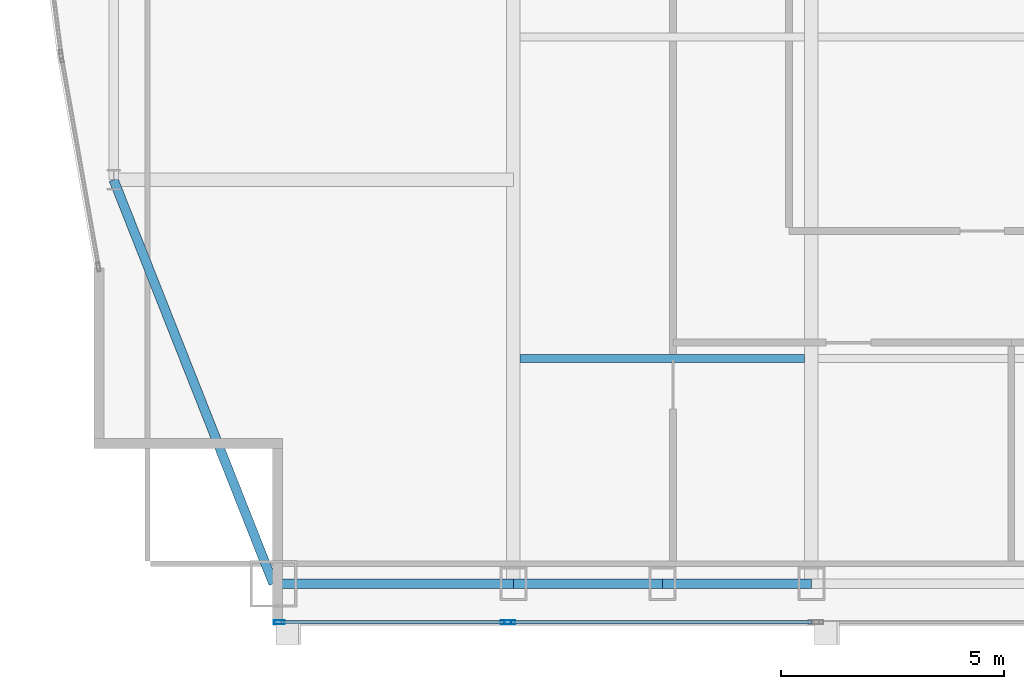
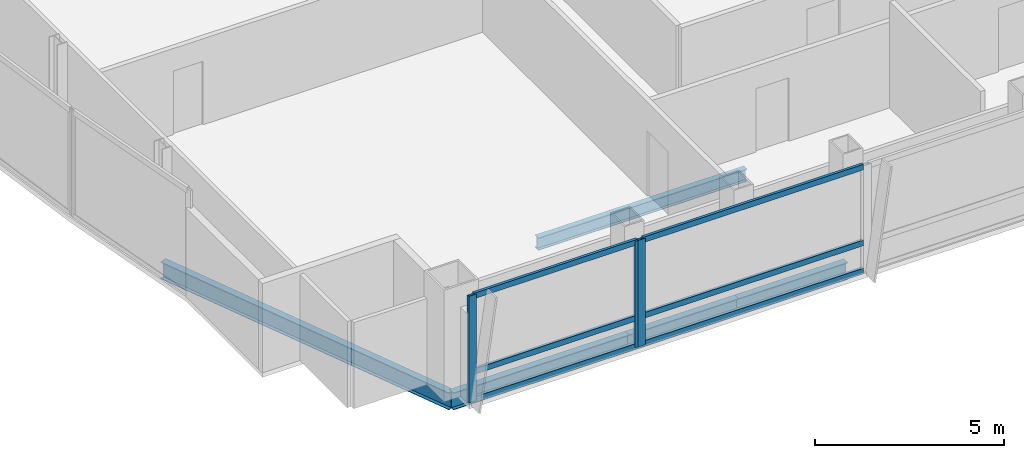
# One storey, part 5 of 30: 9 members, 5 beams, 2 elements without a shape of their own.
"""IFC4 building model written with IfcOpenShell, lengths in metres."""

from ifc_helpers import new_model, si_unit, direction, frame, origin, origin_2d, place, context, subcontext, project, spatial, hollow_rectangle, i_section, extrude, material, material_profile, profile_set, type_object, element, aggregate, save


model = new_model("IFC4")

# Units and contexts
model_context = context("Model", 3, precision=1e-05, world=origin(), true_north=direction((0.0, 1.0)))
body_context = subcontext(model_context, "Body", "Model", "MODEL_VIEW")
ifc_project = project(units=[si_unit("LENGTHUNIT", "METRE"), si_unit("AREAUNIT", "SQUARE_METRE"), si_unit("VOLUMEUNIT", "CUBIC_METRE"), si_unit("PLANEANGLEUNIT", "RADIAN"), si_unit("MASSUNIT", "GRAM", prefix="KILO")], contexts=[model_context])

# Site, building, storey
site_placement = place(None, origin())
site = spatial("IfcSite", under=ifc_project, at=site_placement, CompositionType="ELEMENT")
building_placement = place(site_placement, origin())
building = spatial("IfcBuilding", under=site, at=building_placement, Name="Khoronbel Lancet Exchange", CompositionType="ELEMENT")
storey_placement = place(building_placement, frame((0.0, 0.0, 277.0)))
storey = spatial("IfcBuildingStorey", under=building, at=storey_placement, Name="L71", CompositionType="ELEMENT", Elevation=277.0)

# Beams
ifc_material_1 = material(Name="Steel S355", Category="steel")
ifc_material_profile_1 = material_profile(ifc_material_1, i_section(OverallWidth=0.179931640625, OverallDepth=0.39990234375, WebThickness=0.008544921875, FlangeThickness=0.013427734375, at=origin_2d()), Name="IPE 400")
ifc_profile_set_1 = profile_set([ifc_material_profile_1], Name="Steel S355")
beam_type_1 = type_object("IfcBeamType", Name="BM-BJ5", PredefinedType="JOIST", material=ifc_profile_set_1)
beam_1_placement = place(storey_placement, frame((18.375, 15.199951171875, -0.360107421875), z_axis=(1.0, 0.0, 0.0), x_axis=(0.0, 1.0, 0.0)))
element("IfcBeam", 1, at=beam_1_placement, inside=storey, type_object=beam_type_1, Name="Level L71 secondary composite joist J01", PredefinedType="JOIST", context=body_context, shape_type="SweptSolid", body=[
    extrude(i_section(OverallWidth=0.179931640625, OverallDepth=0.39990234375, WebThickness=0.008544921875, FlangeThickness=0.013427734375, at=origin_2d()), origin(), (0.0, 0.0, 1.0), 6.375),
])
ifc_material_profile_2 = material_profile(ifc_material_1, i_section(OverallWidth=0.2099609375, OverallDepth=0.550048828125, WebThickness=0.010986328125, FlangeThickness=0.01708984375, at=origin_2d()), Name="IPE 550")
ifc_profile_set_2 = profile_set([ifc_material_profile_2], Name="Steel S355")
beam_type_2 = type_object("IfcBeamType", Name="BM-BSP3", PredefinedType="SPANDREL", material=ifc_profile_set_2)
beam_2_placement = place(storey_placement, frame((12.85009765625, 10.14990234375, -0.43505859375), z_axis=(1.0, 0.0, 0.0), x_axis=(0.0, 1.0, 0.0)))
element("IfcBeam", 2, at=beam_2_placement, inside=storey, type_object=beam_type_2, Name="Level L71 perimeter spandrel beam SP01", PredefinedType="SPANDREL", context=body_context, shape_type="SweptSolid", body=[
    extrude(i_section(OverallWidth=0.2099609375, OverallDepth=0.550048828125, WebThickness=0.010986328125, FlangeThickness=0.01708984375, at=origin_2d()), origin(), (0.0, 0.0, 1.0), 5.375),
])
for number, where, z_axis, x_axis, name in (
    (3, (18.22509765625, 10.14990234375, -0.43505859375), (1.0, 0.0, 0.0), (0.0, 1.0, 0.0), "Level L71 perimeter spandrel beam SP02"),
    (4, (21.5625, 10.14990234375, -0.43505859375), (1.0, 0.0, 0.0), (0.0, 1.0, 0.0), "Level L71 perimeter spandrel beam SP03"),
):
    element("IfcBeam", number, at=place(storey_placement, frame(where, z_axis=z_axis, x_axis=x_axis)), inside=storey, type_object=beam_type_2, Name=name, PredefinedType="SPANDREL", context=body_context, shape_type="SweptSolid", body=[
        extrude(i_section(OverallWidth=0.2099609375, OverallDepth=0.550048828125, WebThickness=0.010986328125, FlangeThickness=0.01708984375, at=origin_2d()), origin(), (0.0, 0.0, 1.0), 3.33740234375),
    ])
beam_3_placement = place(storey_placement, frame((9.27001953125, 19.199951171875, -0.43505859375), z_axis=(0.367850095026, -0.92988510451, 0.0), x_axis=(0.92988510451, 0.367850095026, 0.0)))
element("IfcBeam", 5, at=beam_3_placement, inside=storey, type_object=beam_type_2, Name="Level L71 perimeter spandrel beam SP21", PredefinedType="SPANDREL", context=body_context, shape_type="SweptSolid", body=[
    extrude(i_section(OverallWidth=0.2099609375, OverallDepth=0.550048828125, WebThickness=0.010986328125, FlangeThickness=0.01708984375, at=origin_2d()), origin(), (0.0, 0.0, 1.0), 9.732421875),
])

# Curtain wall, members
ifc_material_2 = material(Name="Low-E Solar Control Insulating Glass", Category="glass")
curtain_wall_type = type_object("IfcCurtainWallType", Name="CW-3", PredefinedType="NOTDEFINED", material=ifc_material_2)
curtain_wall_1_placement = place(storey_placement, origin())
curtain_wall_1 = element("IfcCurtainWall", 6, at=curtain_wall_1_placement, inside=storey, type_object=curtain_wall_type, Name="Unitised curtain wall CW-L71-SWV", PredefinedType="NOTDEFINED")
ifc_material_3 = material(Name="Bronze-Anodised Aluminium 6063-T6", Category="aluminium")
ifc_material_profile_3 = material_profile(ifc_material_3, hollow_rectangle(XDim=0.0849609375, YDim=0.239990234375, WallThickness=0.006103515625, at=origin_2d()), Name="ALU MULLION 85x240")
ifc_profile_set_3 = profile_set([ifc_material_profile_3], Name="Bronze-Anodised Aluminium 6063-T6")
member_type_1 = type_object("IfcMemberType", Name="MEM-CWM1", PredefinedType="MULLION", material=ifc_profile_set_3)
member_1_placement = place(storey_placement, frame((12.982421875, 9.2900390625, 0.0), z_axis=(0.0, 0.0, 1.0), x_axis=(0.0, 1.0, 0.0)))
member_1 = element("IfcMember", 7, at=member_1_placement, type_object=member_type_1, Name="CW3 mullion 1", PredefinedType="MULLION", context=body_context, shape_type="SweptSolid", body=[
    extrude(hollow_rectangle(XDim=0.0849609375, YDim=0.239990234375, WallThickness=0.006103515625, at=origin_2d()), origin(), (0.0, 0.0, 1.0), 3.43994140625),
])
member_2_placement = place(storey_placement, frame((18.0576171875, 9.2900390625, 0.0), z_axis=(0.0, 0.0, 1.0), x_axis=(0.0, 1.0, 0.0)))
member_2 = element("IfcMember", 8, at=member_2_placement, type_object=member_type_1, Name="CW3 mullion 2", PredefinedType="MULLION", context=body_context, shape_type="SweptSolid", body=[
    extrude(hollow_rectangle(XDim=0.0849609375, YDim=0.239990234375, WallThickness=0.006103515625, at=origin_2d()), origin(), (0.0, 0.0, 1.0), 3.43994140625),
])

# Curtain wall, member
curtain_wall_2_placement = place(storey_placement, origin())
curtain_wall_2 = element("IfcCurtainWall", 9, at=curtain_wall_2_placement, inside=storey, type_object=curtain_wall_type, Name="Unitised curtain wall CW-L71-SWB", PredefinedType="NOTDEFINED")
member_3_placement = place(storey_placement, frame((18.142578125, 9.2900390625, 0.0), z_axis=(0.0, 0.0, 1.0), x_axis=(0.0, 1.0, 0.0)))
member_3 = element("IfcMember", 10, at=member_3_placement, type_object=member_type_1, Name="CW3 mullion 1", PredefinedType="MULLION", context=body_context, shape_type="SweptSolid", body=[
    extrude(hollow_rectangle(XDim=0.0849609375, YDim=0.239990234375, WallThickness=0.006103515625, at=origin_2d()), origin(), (0.0, 0.0, 1.0), 3.43994140625),
])

# Member
ifc_material_profile_4 = material_profile(ifc_material_3, hollow_rectangle(XDim=0.0849609375, YDim=0.179931640625, WallThickness=0.0048828125, at=origin_2d()), Name="ALU TRANSOM 85x180")
ifc_profile_set_4 = profile_set([ifc_material_profile_4], Name="Bronze-Anodised Aluminium 6063-T6")
member_type_2 = type_object("IfcMemberType", Name="MEM-CWT1", PredefinedType="USERDEFINED", material=ifc_profile_set_4)
member_4_placement = place(storey_placement, frame((13.02490234375, 9.2900390625, 0.04248046875), z_axis=(1.0, 0.0, 0.0), x_axis=(0.0, 1.0, 0.0)))
member_4 = element("IfcMember", 11, at=member_4_placement, type_object=member_type_2, Name="CW3 transom 1.1", ObjectType="TRANSOM", PredefinedType="USERDEFINED", context=body_context, shape_type="SweptSolid", body=[
    extrude(hollow_rectangle(XDim=0.0849609375, YDim=0.179931640625, WallThickness=0.0048828125, at=origin_2d()), origin(), (0.0, 0.0, 1.0), 4.989990234375),
])

member_5_placement = place(storey_placement, frame((13.02490234375, 9.2900390625, 0.949951171875), z_axis=(1.0, 0.0, 0.0), x_axis=(0.0, 1.0, 0.0)))
member_5 = element("IfcMember", 12, at=member_5_placement, type_object=member_type_2, Name="CW3 transom 1.2", ObjectType="TRANSOM", PredefinedType="USERDEFINED", context=body_context, shape_type="SweptSolid", body=[
    extrude(hollow_rectangle(XDim=0.0849609375, YDim=0.179931640625, WallThickness=0.0048828125, at=origin_2d()), origin(), (0.0, 0.0, 1.0), 4.989990234375),
])

member_6_placement = place(storey_placement, frame((13.02490234375, 9.2900390625, 3.3974609375), z_axis=(1.0, 0.0, 0.0), x_axis=(0.0, 1.0, 0.0)))
member_6 = element("IfcMember", 13, at=member_6_placement, type_object=member_type_2, Name="CW3 transom 1.3", ObjectType="TRANSOM", PredefinedType="USERDEFINED", context=body_context, shape_type="SweptSolid", body=[
    extrude(hollow_rectangle(XDim=0.0849609375, YDim=0.179931640625, WallThickness=0.0048828125, at=origin_2d()), origin(), (0.0, 0.0, 1.0), 4.989990234375),
])

aggregate(curtain_wall_1, [member_1, member_2, member_4, member_5, member_6])

member_7_placement = place(storey_placement, frame((18.18505859375, 9.2900390625, 0.04248046875), z_axis=(1.0, 0.0, 0.0), x_axis=(0.0, 1.0, 0.0)))
member_7 = element("IfcMember", 14, at=member_7_placement, type_object=member_type_2, Name="CW3 transom 1.1", ObjectType="TRANSOM", PredefinedType="USERDEFINED", context=body_context, shape_type="SweptSolid", body=[
    extrude(hollow_rectangle(XDim=0.0849609375, YDim=0.179931640625, WallThickness=0.0048828125, at=origin_2d()), origin(), (0.0, 0.0, 1.0), 6.72998046875),
])

member_8_placement = place(storey_placement, frame((18.18505859375, 9.2900390625, 0.949951171875), z_axis=(1.0, 0.0, 0.0), x_axis=(0.0, 1.0, 0.0)))
member_8 = element("IfcMember", 15, at=member_8_placement, type_object=member_type_2, Name="CW3 transom 1.2", ObjectType="TRANSOM", PredefinedType="USERDEFINED", context=body_context, shape_type="SweptSolid", body=[
    extrude(hollow_rectangle(XDim=0.0849609375, YDim=0.179931640625, WallThickness=0.0048828125, at=origin_2d()), origin(), (0.0, 0.0, 1.0), 6.72998046875),
])

member_9_placement = place(storey_placement, frame((18.18505859375, 9.2900390625, 3.3974609375), z_axis=(1.0, 0.0, 0.0), x_axis=(0.0, 1.0, 0.0)))
member_9 = element("IfcMember", 16, at=member_9_placement, type_object=member_type_2, Name="CW3 transom 1.3", ObjectType="TRANSOM", PredefinedType="USERDEFINED", context=body_context, shape_type="SweptSolid", body=[
    extrude(hollow_rectangle(XDim=0.0849609375, YDim=0.179931640625, WallThickness=0.0048828125, at=origin_2d()), origin(), (0.0, 0.0, 1.0), 6.72998046875),
])

aggregate(curtain_wall_2, [member_3, member_7, member_8, member_9])

save(model, "model.ifc")
